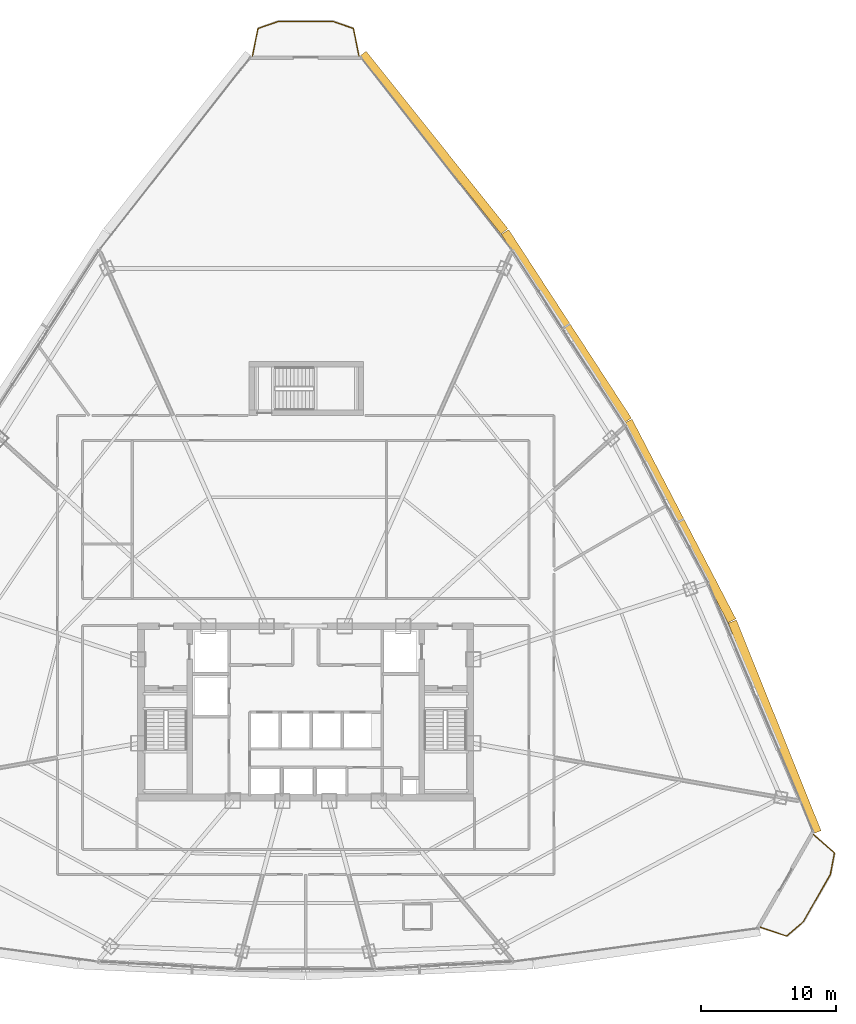
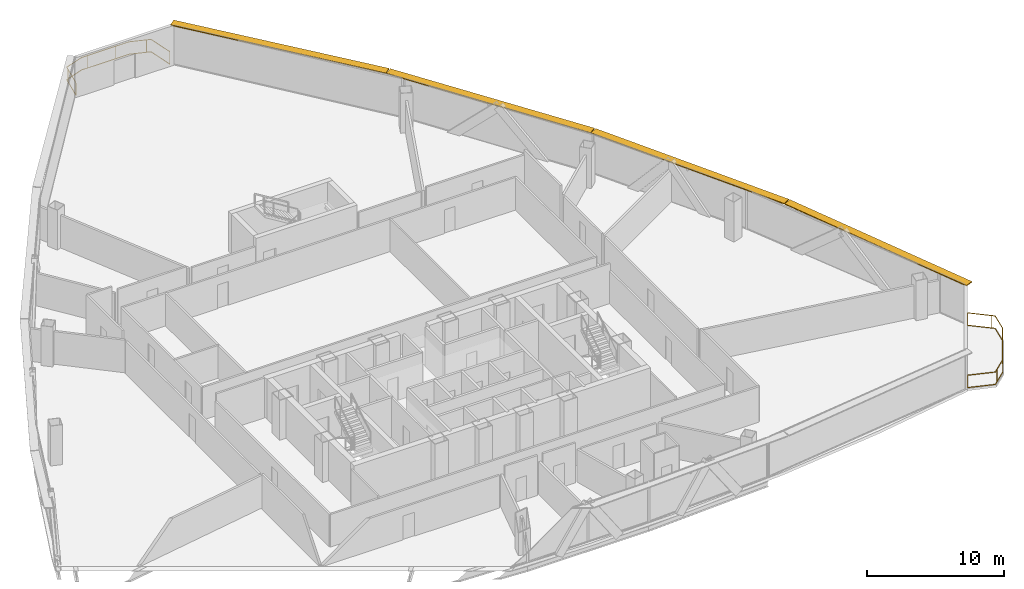
# One storey, part 36 of 36: 4 shading devices, 2 railings.
"""IFC4 building model written with IfcOpenShell, lengths in metres."""

import ifcopenshell
import ifcopenshell.guid

model = None  # the IFC model being written
_history = None  # IfcOwnerHistory: only IFC2X3 demands one
_inside = {}  # id of a spatial element -> (the spatial element, [elements in it])
_under = {}  # id of a project, library or spatial element -> (it, [spatial elements below it])
_declared = {}  # id of a project -> (the project, [libraries it declares])
_typed = {}  # id of a type object -> (the type object, [elements of that type])
_made_of = {}  # id of a material, layer set ... -> (it, [elements and type objects made of it])


def new_model(schema):
    """Start an empty IFC model of exactly this schema.

    Asked for "IFC4X3", IfcOpenShell would pick the latest addendum, in which some entities
    have other attributes; the version numbers below select the first issue.
    IFC2X3 requires an IfcOwnerHistory on every rooted entity: one is made here for all.
    """
    global model, _history
    if schema == "IFC4X3":
        model = ifcopenshell.file(schema_version=(4, 3, 0, 0))
    else:
        model = ifcopenshell.file(schema=schema)
    _inside.clear()
    _under.clear()
    _declared.clear()
    _typed.clear()
    _made_of.clear()
    _history = None
    if model.schema == "IFC2X3":
        org = make("IfcOrganization", Name="unknown")
        user = make(
            "IfcPersonAndOrganization",
            ThePerson=make("IfcPerson", FamilyName="unknown"),
            TheOrganization=org,
        )
        app = make(
            "IfcApplication",
            ApplicationDeveloper=org,
            Version="unknown",
            ApplicationFullName="unknown",
            ApplicationIdentifier="unknown",
        )
        _history = make(
            "IfcOwnerHistory",
            OwningUser=user,
            OwningApplication=app,
            ChangeAction="ADDED",
            CreationDate=0,
        )
    return model


def make(cls, **values):
    """One entity of the class cls with the attributes given. An attribute that is None is left unset."""
    return model.create_entity(
        cls, **{name: value for name, value in values.items() if value is not None}
    )


def rooted(cls, **values):
    """An entity with a GlobalId (a new one), such as an element, a storey or a relation."""
    return make(cls, GlobalId=ifcopenshell.guid.new(), OwnerHistory=_history, **values)


def si_unit(unit_type, name, prefix=None):
    """IfcSIUnit, for example si_unit("LENGTHUNIT", "METRE", prefix="MILLI")."""
    return make("IfcSIUnit", UnitType=unit_type, Prefix=prefix, Name=name)


def assignment(units):
    """IfcUnitAssignment: the units of a project."""
    return None if units is None else make("IfcUnitAssignment", Units=units)


def point(xyz):
    """IfcCartesianPoint."""
    return None if xyz is None else make("IfcCartesianPoint", Coordinates=xyz)


def direction(xyz):
    """IfcDirection."""
    return None if xyz is None else make("IfcDirection", DirectionRatios=xyz)


def frame(location, z_axis=None, x_axis=None):
    """IfcAxis2Placement3D, a coordinate frame: its origin and axes. An axis left out is left unset."""
    return make(
        "IfcAxis2Placement3D",
        Location=point(location),
        Axis=direction(z_axis),
        RefDirection=direction(x_axis),
    )


def frame_2d(location, x_axis=None):
    """IfcAxis2Placement2D, a coordinate frame in the plane: its origin and x axis."""
    return make(
        "IfcAxis2Placement2D", Location=point(location), RefDirection=direction(x_axis)
    )


def origin():
    """The frame at (0, 0, 0) with its axes left unset."""
    return frame((0.0, 0.0, 0.0))


def origin_2d():
    """The frame at (0, 0) in the plane with its x axis left unset."""
    return frame_2d((0.0, 0.0))


def place(relative_to, where):
    """IfcLocalPlacement: puts the frame where relative to a parent placement (None: the world)."""
    return make(
        "IfcLocalPlacement", PlacementRelTo=relative_to, RelativePlacement=where
    )


def context(
    kind, dimensions, precision=None, world=None, true_north=None, identifier=None
):
    """IfcGeometricRepresentationContext, for example the 3D "Model" context."""
    return make(
        "IfcGeometricRepresentationContext",
        ContextIdentifier=identifier,
        ContextType=kind,
        CoordinateSpaceDimension=dimensions,
        Precision=precision,
        WorldCoordinateSystem=world,
        TrueNorth=true_north,
    )


def subcontext(parent, identifier, kind, view, scale=None):
    """IfcGeometricRepresentationSubContext, for example "Body" below "Model"."""
    return make(
        "IfcGeometricRepresentationSubContext",
        ContextIdentifier=identifier,
        ContextType=kind,
        ParentContext=parent,
        TargetScale=scale,
        TargetView=view,
    )


def project(units=None, contexts=None):
    """IfcProject with its units and contexts."""
    return rooted(
        "IfcProject",
        Name="project",
        RepresentationContexts=contexts,
        UnitsInContext=assignment(units),
    )


def spatial(cls, under=None, at=None, **own):
    """A site, building, storey or space (cls), placed at a placement, below another one or the project."""
    s = rooted(cls, ObjectPlacement=at, **own)
    if under is not None:
        _under.setdefault(under.id(), (under, []))[1].append(s)
    return s


def profile(cls, at=None, kind="AREA", **sizes):
    """A parametric profile (cls). Its sizes go by their IFC names, for example OverallWidth=200.0."""
    return make(cls, ProfileType=kind, Position=at, **sizes)


def rectangle(**sizes):
    """IfcRectangleProfileDef."""
    return profile("IfcRectangleProfileDef", **sizes)


def extrude(swept, where, along, depth):
    """IfcExtrudedAreaSolid: the profile swept, set in the frame where, extruded along a direction by depth."""
    return make(
        "IfcExtrudedAreaSolid",
        SweptArea=swept,
        Position=where,
        ExtrudedDirection=direction(along),
        Depth=depth,
    )


def shape(context_of_items, identifier, shape_type, items):
    """IfcShapeRepresentation: the items that make up one representation, for example the "Body"."""
    return make(
        "IfcShapeRepresentation",
        ContextOfItems=context_of_items,
        RepresentationIdentifier=identifier,
        RepresentationType=shape_type,
        Items=items,
    )


def source(mapping_origin, context_of_items, identifier, shape_type, items):
    """IfcRepresentationMap: a shape defined once, which mapped items show again and again."""
    return make(
        "IfcRepresentationMap",
        MappingOrigin=mapping_origin,
        MappedRepresentation=shape(context_of_items, identifier, shape_type, items),
    )


def transform(
    local_origin,
    x_axis=None,
    y_axis=None,
    z_axis=None,
    scale=None,
    scale2=None,
    scale3=None,
    uniform=True,
):
    """IfcCartesianTransformationOperator3D, or its non-uniform kind. x_axis, y_axis, z_axis: its Axis1, 2, 3."""
    if uniform:
        return make(
            "IfcCartesianTransformationOperator3D",
            Axis1=direction(x_axis),
            Axis2=direction(y_axis),
            LocalOrigin=point(local_origin),
            Scale=scale,
            Axis3=direction(z_axis),
        )
    return make(
        "IfcCartesianTransformationOperator3DnonUniform",
        Axis1=direction(x_axis),
        Axis2=direction(y_axis),
        LocalOrigin=point(local_origin),
        Scale=scale,
        Axis3=direction(z_axis),
        Scale2=scale2,
        Scale3=scale3,
    )


def mapped(mapping_source, mapping_target):
    """IfcMappedItem: shows the shape of a source again, moved by a transform."""
    return make(
        "IfcMappedItem", MappingSource=mapping_source, MappingTarget=mapping_target
    )


def material(Name=None, Category=None):
    """IfcMaterial."""
    return make("IfcMaterial", Name=Name, Category=Category)


def layer(
    of_material, thickness, ventilated=None, Name=None, Category=None, Priority=None
):
    """IfcMaterialLayer: one layer of a wall or slab, of a material (None: an air gap)."""
    return make(
        "IfcMaterialLayer",
        Material=of_material,
        LayerThickness=thickness,
        IsVentilated=ventilated,
        Name=Name,
        Category=Category,
        Priority=Priority,
    )


def layer_set(layers, Name=None):
    """IfcMaterialLayerSet."""
    return make("IfcMaterialLayerSet", MaterialLayers=layers, LayerSetName=Name)


def made_of(thing, what):
    """Note that an element or type object is made of a material, layer set ...; save() writes the relation."""
    if what is not None:
        _made_of.setdefault(what.id(), (what, []))[1].append(thing)
    return thing


def type_object(cls, material=None, **own):
    """A type object (cls), such as IfcWallType, which elements share."""
    return made_of(rooted(cls, **own), material)


def element(
    cls,
    number,
    at=None,
    inside=None,
    cuts=None,
    type_object=None,
    material=None,
    context=None,
    identifier="Body",
    shape_type=None,
    held_by="IfcProductDefinitionShape",
    body=None,
    shapes=None,
    **own,
):
    """One element of the class cls, such as IfcWall. Its Tag is "e" and its number.

    at: its placement. inside: the storey or other place that contains it. cuts: it is an
    opening in that element (IfcRelVoidsElement). A single representation is given by context,
    identifier, shape_type and body (its items); several are given by shapes. held_by: the class
    of the entity that holds the representations. save() writes the other relations.
    """
    e = rooted(cls, Tag="e%d" % number, ObjectPlacement=at, **own)
    if body is not None:
        shapes = [shape(context, identifier, shape_type, body)]
    if shapes is not None:
        e.Representation = make(held_by, Representations=shapes)
    if inside is not None:
        _inside.setdefault(inside.id(), (inside, []))[1].append(e)
    if cuts is not None:
        rooted(
            "IfcRelVoidsElement", RelatingBuildingElement=cuts, RelatedOpeningElement=e
        )
    if type_object is not None:
        _typed.setdefault(type_object.id(), (type_object, []))[1].append(e)
    return made_of(e, material)


def aggregate(whole, parts):
    """IfcRelAggregates: a whole, such as a stair, and the parts it consists of."""
    return rooted("IfcRelAggregates", RelatingObject=whole, RelatedObjects=parts)


def save(model, path):
    """Write the relations noted so far, then the file.

    IfcRelAggregates (storeys below a building ...), IfcRelContainedInSpatialStructure (elements
    in a storey), IfcRelDefinesByType, IfcRelAssociatesMaterial and IfcRelDeclares: one each for
    every whole, place, type object, material and project.
    """
    for whole, parts in _under.values():
        aggregate(whole, parts)
    for where, things in _inside.values():
        rooted(
            "IfcRelContainedInSpatialStructure",
            RelatedElements=things,
            RelatingStructure=where,
        )
    for kind, things in _typed.values():
        rooted("IfcRelDefinesByType", RelatedObjects=things, RelatingType=kind)
    for what, things in _made_of.values():
        rooted("IfcRelAssociatesMaterial", RelatedObjects=things, RelatingMaterial=what)
    for by, libraries in _declared.values():
        rooted("IfcRelDeclares", RelatingContext=by, RelatedDefinitions=libraries)
    model.write(path)


model = new_model("IFC4")

# Units and contexts
model_context = context("Model", 3, precision=1e-05, world=origin(), true_north=direction((0.0, 1.0)))
body_context = subcontext(model_context, "Body", "Model", "MODEL_VIEW")
ifc_project = project(units=[si_unit("LENGTHUNIT", "METRE"), si_unit("AREAUNIT", "SQUARE_METRE"), si_unit("VOLUMEUNIT", "CUBIC_METRE"), si_unit("PLANEANGLEUNIT", "RADIAN"), si_unit("MASSUNIT", "GRAM", prefix="KILO"), si_unit("THERMODYNAMICTEMPERATUREUNIT", "KELVIN"), si_unit("POWERUNIT", "WATT")], contexts=[model_context])

# Site, building, storey
site_placement = place(None, origin())
site = spatial("IfcSite", under=ifc_project, at=site_placement, CompositionType="ELEMENT")
building_placement = place(site_placement, origin())
building = spatial("IfcBuilding", under=site, at=building_placement, Name="Yunzhuo Pagoda Commons", CompositionType="ELEMENT")
storey_placement = place(building_placement, frame((0.0, 0.0, 211.360107421875)))
storey = spatial("IfcBuildingStorey", under=building, at=storey_placement, Name="L53", CompositionType="ELEMENT", Elevation=211.360107421875)

# Railings
ifc_material = material(Name="Anodized aluminium 6063-T6", Category="aluminium")
railing_type = type_object("IfcRailingType", Name="RL-BAL1 Exterior Terrace & Balcony Balustrade 1150", PredefinedType="BALUSTRADE", material=ifc_material)
railing_1_placement = place(storey_placement, frame((81.69287109375, 17.88427734375, 0.0)))
element("IfcRailing", 1, at=railing_1_placement, inside=storey, type_object=railing_type, Name="L53 corner balcony balustrade V2", PredefinedType="BALUSTRADE", context=body_context, shape_type="SweptSolid", body=[
    extrude(rectangle(XDim=0.048095703125, YDim=0.048095703125, at=origin_2d()), frame((0.0, 0.0, 1.1259765625), z_axis=(0.947419062147, -0.319995501031, 0.0), x_axis=(0.319995501031, 0.947419062147, 0.0)), (0.0, 0.0, 1.0), 2.05908203125),
    extrude(rectangle(XDim=0.048095703125, YDim=0.048095703125, at=origin_2d()), frame((0.0, 0.0, 0.02392578125), z_axis=(0.947419062147, -0.319995501031, 0.0), x_axis=(0.319995501031, 0.947419062147, 0.0)), (0.0, 0.0, 1.0), 2.05908203125),
    extrude(rectangle(XDim=0.048095703125, YDim=0.048095703125, at=origin_2d()), frame((1.950927734375, -0.658935546875, 1.1259765625), z_axis=(0.753282721455, 0.657696846242, 0.0), x_axis=(-0.657696846242, 0.753282721455, 0.0)), (0.0, 0.0, 1.0), 1.626953125),
    extrude(rectangle(XDim=0.048095703125, YDim=0.048095703125, at=origin_2d()), frame((1.950927734375, -0.658935546875, 0.02392578125), z_axis=(0.753282721455, 0.657696846242, 0.0), x_axis=(-0.657696846242, 0.753282721455, 0.0)), (0.0, 0.0, 1.0), 1.626953125),
    extrude(rectangle(XDim=0.048095703125, YDim=0.048095703125, at=origin_2d()), frame((3.176513671875, 0.4111328125, 1.1259765625), z_axis=(0.497935758884, 0.86721391826, 0.0), x_axis=(-0.86721391826, 0.497935758884, 0.0)), (0.0, 0.0, 1.0), 4.0361328125),
    extrude(rectangle(XDim=0.048095703125, YDim=0.048095703125, at=origin_2d()), frame((3.176513671875, 0.4111328125, 0.02392578125), z_axis=(0.497935758884, 0.86721391826, 0.0), x_axis=(-0.86721391826, 0.497935758884, 0.0)), (0.0, 0.0, 1.0), 4.0361328125),
    extrude(rectangle(XDim=0.048095703125, YDim=0.048095703125, at=origin_2d()), frame((5.186279296875, 3.911376953125, 1.1259765625), z_axis=(0.188201640335, 0.982130410167, 0.0), x_axis=(-0.982130410167, 0.188201640335, 0.0)), (0.0, 0.0, 1.0), 1.626708984375),
    extrude(rectangle(XDim=0.048095703125, YDim=0.048095703125, at=origin_2d()), frame((5.186279296875, 3.911376953125, 0.02392578125), z_axis=(0.188201640335, 0.982130410167, 0.0), x_axis=(-0.982130410167, 0.188201640335, 0.0)), (0.0, 0.0, 1.0), 1.626708984375),
    extrude(rectangle(XDim=0.048095703125, YDim=0.048095703125, at=origin_2d()), frame((5.492431640625, 5.509033203125, 1.1259765625), z_axis=(-0.753933830692, 0.656950362614, 0.0), x_axis=(-0.656950362614, -0.753933830692, 0.0)), (0.0, 0.0, 1.0), 2.05908203125),
    extrude(rectangle(XDim=0.048095703125, YDim=0.048095703125, at=origin_2d()), frame((5.492431640625, 5.509033203125, 0.02392578125), z_axis=(-0.753933830692, 0.656950362614, 0.0), x_axis=(-0.656950362614, -0.753933830692, 0.0)), (0.0, 0.0, 1.0), 2.05908203125),
    extrude(rectangle(XDim=0.0419921875, YDim=0.0419921875, at=origin_2d()), origin(), (0.0, 0.0, 1.0), 1.101806640625),
    extrude(rectangle(XDim=0.0419921875, YDim=0.0419921875, at=origin_2d()), frame((2.207763671875, -0.434814453125, 0.0)), (0.0, 0.0, 1.0), 1.101806640625),
    extrude(rectangle(XDim=0.0419921875, YDim=0.0419921875, at=origin_2d()), frame((3.731201171875, 1.376953125, 0.0)), (0.0, 0.0, 1.0), 1.101806640625),
    extrude(rectangle(XDim=0.0419921875, YDim=0.0419921875, at=origin_2d()), frame((4.92626953125, 3.458251953125, 0.0)), (0.0, 0.0, 1.0), 1.101806640625),
    extrude(rectangle(XDim=0.0419921875, YDim=0.0419921875, at=origin_2d()), frame((5.30322265625, 5.673828125, 0.0)), (0.0, 0.0, 1.0), 1.101806640625),
    extrude(rectangle(XDim=0.0419921875, YDim=0.0419921875, at=origin_2d()), frame((3.93994140625, 6.86181640625, 0.0)), (0.0, 0.0, 1.0), 1.101806640625),
])
railing_2_placement = place(storey_placement, frame((51.939453125, 82.466796875, 0.0)))
element("IfcRailing", 2, at=railing_2_placement, inside=storey, type_object=railing_type, Name="L53 corner balcony balustrade V3", PredefinedType="BALUSTRADE", context=body_context, shape_type="SweptSolid", body=[
    extrude(rectangle(XDim=0.048095703125, YDim=0.048095703125, at=origin_2d()), frame((0.0, 0.0, 1.1259765625), z_axis=(-0.194200568098, 0.980961843983, 0.0), x_axis=(-0.980961843983, -0.194200568098, 0.0)), (0.0, 0.0, 1.0), 2.059326171875),
    extrude(rectangle(XDim=0.048095703125, YDim=0.048095703125, at=origin_2d()), frame((0.0, 0.0, 0.02392578125), z_axis=(-0.194200568098, 0.980961843983, 0.0), x_axis=(-0.980961843983, -0.194200568098, 0.0)), (0.0, 0.0, 1.0), 2.059326171875),
    extrude(rectangle(XDim=0.048095703125, YDim=0.048095703125, at=origin_2d()), frame((-0.39990234375, 2.02001953125, 1.1259765625), z_axis=(-0.944939447999, 0.32724522856, 0.0), x_axis=(-0.32724522856, -0.944939447999, 0.0)), (0.0, 0.0, 1.0), 1.618896484375),
    extrude(rectangle(XDim=0.048095703125, YDim=0.048095703125, at=origin_2d()), frame((-0.39990234375, 2.02001953125, 0.02392578125), z_axis=(-0.944939447999, 0.32724522856, 0.0), x_axis=(-0.32724522856, -0.944939447999, 0.0)), (0.0, 0.0, 1.0), 1.618896484375),
    extrude(rectangle(XDim=0.048095703125, YDim=0.048095703125, at=origin_2d()), frame((-1.9296875, 2.5498046875, 1.1259765625), z_axis=(-1.0, 0.0, 0.0), x_axis=(0.0, -1.0, 0.0)), (0.0, 0.0, 1.0), 4.01953125),
    extrude(rectangle(XDim=0.048095703125, YDim=0.048095703125, at=origin_2d()), frame((-1.9296875, 2.5498046875, 0.02392578125), z_axis=(-1.0, 0.0, 0.0), x_axis=(0.0, -1.0, 0.0)), (0.0, 0.0, 1.0), 4.01953125),
    extrude(rectangle(XDim=0.048095703125, YDim=0.048095703125, at=origin_2d()), frame((-5.94921875, 2.5498046875, 1.1259765625), z_axis=(-0.944939447999, -0.32724522856, 0.0), x_axis=(0.32724522856, -0.944939447999, 0.0)), (0.0, 0.0, 1.0), 1.618896484375),
    extrude(rectangle(XDim=0.048095703125, YDim=0.048095703125, at=origin_2d()), frame((-5.94921875, 2.5498046875, 0.02392578125), z_axis=(-0.944939447999, -0.32724522856, 0.0), x_axis=(0.32724522856, -0.944939447999, 0.0)), (0.0, 0.0, 1.0), 1.618896484375),
    extrude(rectangle(XDim=0.048095703125, YDim=0.048095703125, at=origin_2d()), frame((-7.47900390625, 2.02001953125, 1.1259765625), z_axis=(-0.194200568098, -0.980961843983, 0.0), x_axis=(0.980961843983, -0.194200568098, 0.0)), (0.0, 0.0, 1.0), 2.059326171875),
    extrude(rectangle(XDim=0.048095703125, YDim=0.048095703125, at=origin_2d()), frame((-7.47900390625, 2.02001953125, 0.02392578125), z_axis=(-0.194200568098, -0.980961843983, 0.0), x_axis=(0.980961843983, -0.194200568098, 0.0)), (0.0, 0.0, 1.0), 2.059326171875),
    extrude(rectangle(XDim=0.0419921875, YDim=0.0419921875, at=origin_2d()), origin(), (0.0, 0.0, 1.0), 1.101806640625),
    extrude(rectangle(XDim=0.0419921875, YDim=0.0419921875, at=origin_2d()), frame((-0.721923828125, 2.131591796875, 0.0)), (0.0, 0.0, 1.0), 1.101806640625),
    extrude(rectangle(XDim=0.0419921875, YDim=0.0419921875, at=origin_2d()), frame((-3.051513671875, 2.5498046875, 0.0)), (0.0, 0.0, 1.0), 1.101806640625),
    extrude(rectangle(XDim=0.0419921875, YDim=0.0419921875, at=origin_2d()), frame((-5.45166015625, 2.5498046875, 0.0)), (0.0, 0.0, 1.0), 1.101806640625),
    extrude(rectangle(XDim=0.0419921875, YDim=0.0419921875, at=origin_2d()), frame((-7.533935546875, 1.741943359375, 0.0)), (0.0, 0.0, 1.0), 1.101806640625),
    extrude(rectangle(XDim=0.0419921875, YDim=0.0419921875, at=origin_2d()), frame((-7.87890625, 0.0, 0.0)), (0.0, 0.0, 1.0), 1.101806640625),
])

# Shading devices
ifc_layer = layer(ifc_material, 0.080078125)
ifc_layer_set = layer_set([ifc_layer], Name="Anodized aluminium 6063-T6")
shading_device_type = type_object("IfcShadingDeviceType", Name="SH-SUN1 Pagoda Horizontal Sunshade Eave 650", PredefinedType="USERDEFINED", material=ifc_layer_set)
shared_shape_1 = source(origin(), body_context, "Body", "SweptSolid", [
    extrude(rectangle(XDim=16.82861328125, YDim=0.64990234375, at=origin_2d()), origin(), (0.0, 0.0, 1.0), 0.080078125),
])
for number, where, z_axis, x_axis, name in (
    (3, (82.74951171875, 32.730712890625, 3.4599609375), (0.0, 0.0, 1.0), (-0.372987782576, 0.927836253899, 0.0), "L53 horizontal pagoda sunshade eave F2.1"),
    (4, (57.474365234375, 76.029296875, 3.4599609375), (0.0, 0.0, 1.0), (-0.624520471688, 0.781008438138, 0.0), "L53 horizontal pagoda sunshade eave F2.4"),
):
    element("IfcShadingDevice", number, at=place(storey_placement, frame(where, z_axis=z_axis, x_axis=x_axis)), inside=storey, type_object=shading_device_type, Name=name, ObjectType="SUNSHADE", PredefinedType="USERDEFINED", context=body_context, shape_type="MappedRepresentation", body=[
        mapped(shared_shape_1, transform((0.0, 0.0, 0.0), scale=1.0)),
    ])
shared_shape_2 = source(origin(), body_context, "Body", "SweptSolid", [
    extrude(rectangle(XDim=16.668701171875, YDim=0.64990234375, at=origin_2d()), origin(), (0.0, 0.0, 1.0), 0.080078125),
])
for number, where, z_axis, x_axis, name in (
    (5, (75.74072265625, 47.989990234375, 3.4599609375), (0.0, 0.0, 1.0), (-0.461206683033, 0.88729273384, 0.0), "L53 horizontal pagoda sunshade eave F2.2"),
    (6, (67.3154296875, 62.42333984375, 3.4599609375), (0.0, 0.0, 1.0), (-0.545838756973, 0.837890238269, 0.0), "L53 horizontal pagoda sunshade eave F2.3"),
):
    element("IfcShadingDevice", number, at=place(storey_placement, frame(where, z_axis=z_axis, x_axis=x_axis)), inside=storey, type_object=shading_device_type, Name=name, ObjectType="SUNSHADE", PredefinedType="USERDEFINED", context=body_context, shape_type="MappedRepresentation", body=[
        mapped(shared_shape_2, transform((0.0, 0.0, 0.0), scale=1.0)),
    ])

save(model, "model.ifc")
